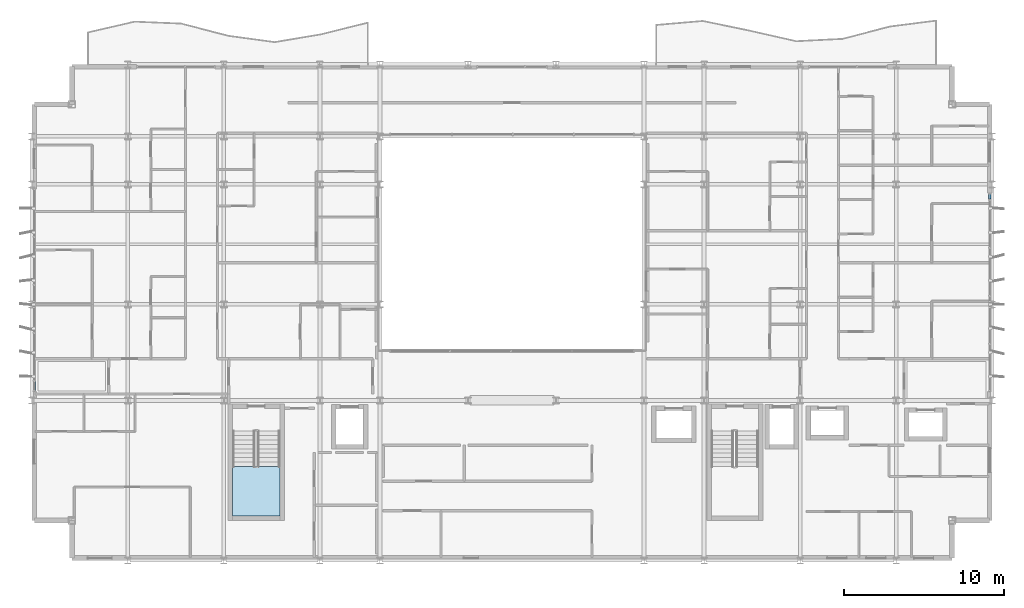
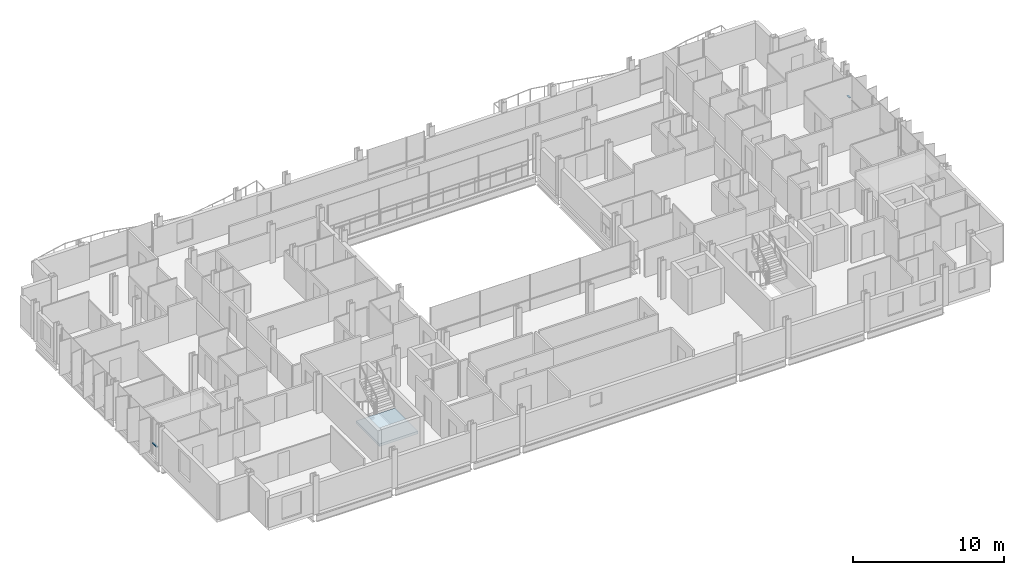
# One storey, part 21 of 38: 2 members, 1 slab, 3 elements without a shape of their own.
"""IFC4 building model written with IfcOpenShell, lengths in metres."""

from ifc_helpers import new_model, si_unit, direction, frame, origin, origin_2d, place, context, subcontext, project, spatial, polyline, hollow_rectangle, outline, extrude, material, layer, layer_set, material_profile, profile_set, type_object, element, aggregate, save


model = new_model("IFC4")

# Units and contexts
model_context = context("Model", 3, precision=1e-05, world=origin(), true_north=direction((0.0, 1.0)))
body_context = subcontext(model_context, "Body", "Model", "MODEL_VIEW")
ifc_project = project(units=[si_unit("LENGTHUNIT", "METRE"), si_unit("AREAUNIT", "SQUARE_METRE"), si_unit("VOLUMEUNIT", "CUBIC_METRE"), si_unit("PLANEANGLEUNIT", "RADIAN"), si_unit("MASSUNIT", "GRAM", prefix="KILO")], contexts=[model_context])

# Site, building, storey
site_placement = place(None, origin())
site = spatial("IfcSite", under=ifc_project, at=site_placement, CompositionType="ELEMENT")
building_placement = place(site_placement, origin())
building = spatial("IfcBuilding", under=site, at=building_placement, Name="Brevholm Reach", CompositionType="ELEMENT")
storey_placement = place(building_placement, frame((0.0, 0.0, 122.10009765625)))
storey = spatial("IfcBuildingStorey", under=building, at=storey_placement, Name="L36", CompositionType="ELEMENT", Elevation=122.10009765625)

# Curtain wall, member
ifc_material_1 = material(Name="Dark Anodised Aluminium 6063-T6 and Solar-Control Glass", Category="aluminium")
ifc_layer_1 = layer(ifc_material_1, 0.14990234375)
ifc_layer_set_1 = layer_set([ifc_layer_1], Name="Dark Anodised Aluminium 6063-T6 and Solar-Control Glass")
curtain_wall_type = type_object("IfcCurtainWallType", Name="CW-01", PredefinedType="NOTDEFINED", material=ifc_layer_set_1)
curtain_wall_1_placement = place(storey_placement, origin())
curtain_wall_1 = element("IfcCurtainWall", 1, at=curtain_wall_1_placement, inside=storey, type_object=curtain_wall_type, Name="L36 Curtain Wall CW-01", PredefinedType="NOTDEFINED")
ifc_material_2 = material(Name="Dark Anodised Aluminium 6063-T6", Category="aluminium")
ifc_material_profile = material_profile(ifc_material_2, hollow_rectangle(XDim=0.06494140625, YDim=0.14990234375, WallThickness=0.0048828125, InnerFilletRadius=0.0048828125, OuterFilletRadius=0.010009765625, at=origin_2d()), Name="RHS 150x65x5")
ifc_profile_set = profile_set([ifc_material_profile], Name="Dark Anodised Aluminium 6063-T6")
member_type = type_object("IfcMemberType", Name="CWT-150", PredefinedType="NOTDEFINED", material=ifc_profile_set)
member_1_placement = place(storey_placement, frame((0.14990234375, 11.1875, 0.89990234375), z_axis=(0.0, -1.0, 0.0), x_axis=(0.0, 0.0, 1.0)))
member_1 = element("IfcMember", 2, at=member_1_placement, type_object=member_type, Name="CT-150 Transom 5.1", ObjectType="TRANSOM", PredefinedType="USERDEFINED", context=body_context, shape_type="SweptSolid", body=[
    extrude(hollow_rectangle(XDim=0.06494140625, YDim=0.14990234375, WallThickness=0.0048828125, InnerFilletRadius=0.0048828125, OuterFilletRadius=0.010009765625, at=origin_2d()), origin(), (0.0, 0.0, 1.0), 0.572509765625),
])
aggregate(curtain_wall_1, [member_1])

curtain_wall_2_placement = place(storey_placement, origin())
curtain_wall_2 = element("IfcCurtainWall", 3, at=curtain_wall_2_placement, inside=storey, type_object=curtain_wall_type, Name="L36 Curtain Wall CW-01", PredefinedType="NOTDEFINED")
member_2_placement = place(storey_placement, frame((59.85009765625, 22.58251953125, 0.89990234375), z_axis=(0.0, 1.0, 0.0), x_axis=(0.0, 0.0, 1.0)))
member_2 = element("IfcMember", 4, at=member_2_placement, type_object=member_type, Name="CT-150 Transom 5.1", ObjectType="TRANSOM", PredefinedType="USERDEFINED", context=body_context, shape_type="SweptSolid", body=[
    extrude(hollow_rectangle(XDim=0.06494140625, YDim=0.14990234375, WallThickness=0.0048828125, InnerFilletRadius=0.0048828125, OuterFilletRadius=0.010009765625, at=origin_2d()), origin(), (0.0, 0.0, 1.0), 0.302490234375),
])
aggregate(curtain_wall_2, [member_2])

# Stair, slab
ifc_material_3 = material(Name="Precast Concrete C40/50", Category="concrete")
stair_type = type_object("IfcStairType", Name="STR-ESC-1400", PredefinedType="DOUBLE_RETURN_STAIR", material=ifc_material_3)
stair_placement = place(storey_placement, origin())
stair = element("IfcStair", 5, at=stair_placement, inside=storey, type_object=stair_type, Name="L36 ST-1", PredefinedType="DOUBLE_RETURN_STAIR")
ifc_material_4 = material(Name="Concrete C40/50", Category="concrete")
ifc_layer_2 = layer(ifc_material_4, 0.199951171875)
ifc_layer_set_2 = layer_set([ifc_layer_2], Name="Concrete C40/50")
slab_type = type_object("IfcSlabType", Name="SLB-LND-200", PredefinedType="LANDING", material=ifc_layer_set_2)
slab_placement = place(storey_placement, frame((0.0, 0.0, 1.349853515625)))
slab = element("IfcSlab", 6, at=slab_placement, type_object=slab_type, Name="ST-1 landing 1", PredefinedType="LANDING", context=body_context, shape_type="SweptSolid", body=[
    extrude(outline(polyline([(12.550048828125, 5.860107421875), (12.550048828125, 2.780029296875), (15.5, 2.780029296875), (15.5, 5.860107421875), (12.550048828125, 5.860107421875)])), origin(), (0.0, 0.0, 1.0), 0.199951171875),
])
aggregate(stair, [slab])

save(model, "model.ifc")
